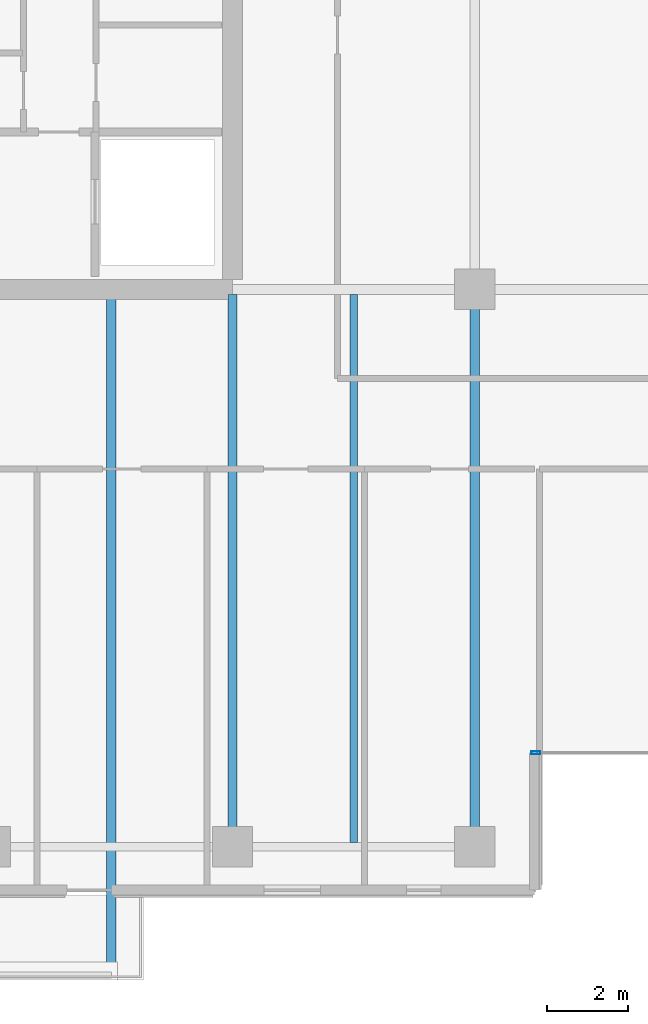
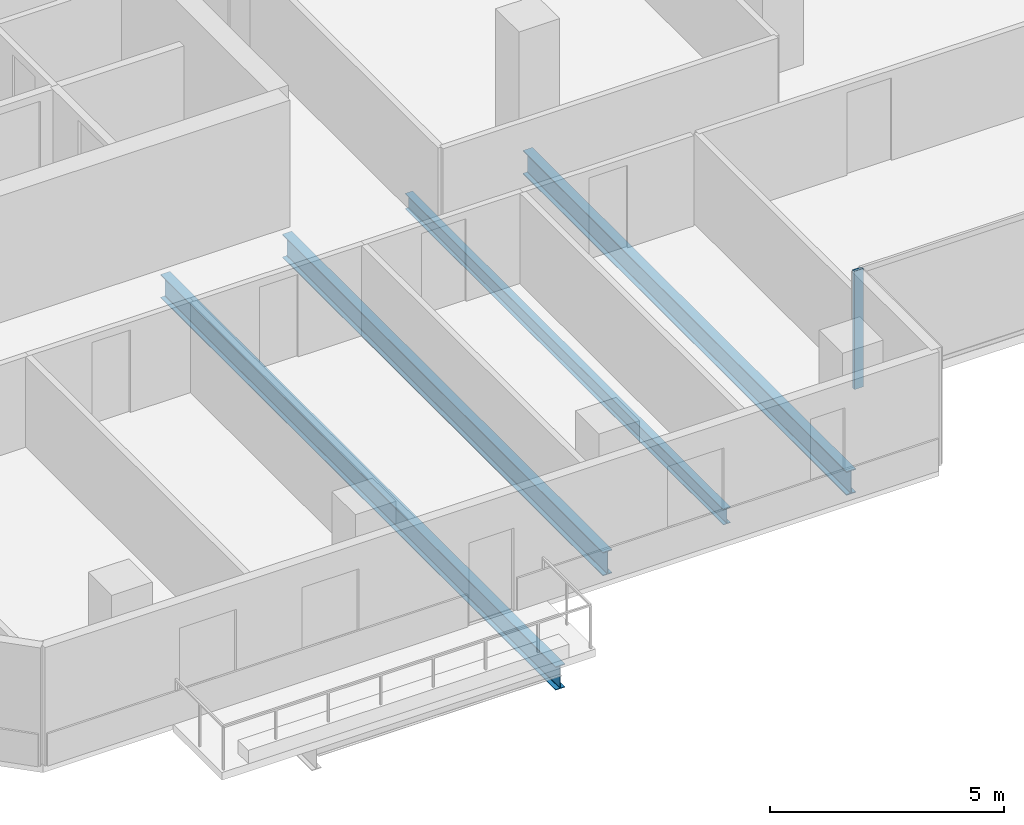
# One storey, part 2 of 23: 4 beams, 1 member, 1 element without a shape of its own.
"""IFC4 building model written with IfcOpenShell, lengths in metres."""

import ifcopenshell
import ifcopenshell.guid

model = None  # the IFC model being written
_history = None  # IfcOwnerHistory: only IFC2X3 demands one
_inside = {}  # id of a spatial element -> (the spatial element, [elements in it])
_under = {}  # id of a project, library or spatial element -> (it, [spatial elements below it])
_declared = {}  # id of a project -> (the project, [libraries it declares])
_typed = {}  # id of a type object -> (the type object, [elements of that type])
_made_of = {}  # id of a material, layer set ... -> (it, [elements and type objects made of it])


def new_model(schema):
    """Start an empty IFC model of exactly this schema.

    Asked for "IFC4X3", IfcOpenShell would pick the latest addendum, in which some entities
    have other attributes; the version numbers below select the first issue.
    IFC2X3 requires an IfcOwnerHistory on every rooted entity: one is made here for all.
    """
    global model, _history
    if schema == "IFC4X3":
        model = ifcopenshell.file(schema_version=(4, 3, 0, 0))
    else:
        model = ifcopenshell.file(schema=schema)
    _inside.clear()
    _under.clear()
    _declared.clear()
    _typed.clear()
    _made_of.clear()
    _history = None
    if model.schema == "IFC2X3":
        org = make("IfcOrganization", Name="unknown")
        user = make(
            "IfcPersonAndOrganization",
            ThePerson=make("IfcPerson", FamilyName="unknown"),
            TheOrganization=org,
        )
        app = make(
            "IfcApplication",
            ApplicationDeveloper=org,
            Version="unknown",
            ApplicationFullName="unknown",
            ApplicationIdentifier="unknown",
        )
        _history = make(
            "IfcOwnerHistory",
            OwningUser=user,
            OwningApplication=app,
            ChangeAction="ADDED",
            CreationDate=0,
        )
    return model


def make(cls, **values):
    """One entity of the class cls with the attributes given. An attribute that is None is left unset."""
    return model.create_entity(
        cls, **{name: value for name, value in values.items() if value is not None}
    )


def rooted(cls, **values):
    """An entity with a GlobalId (a new one), such as an element, a storey or a relation."""
    return make(cls, GlobalId=ifcopenshell.guid.new(), OwnerHistory=_history, **values)


def si_unit(unit_type, name, prefix=None):
    """IfcSIUnit, for example si_unit("LENGTHUNIT", "METRE", prefix="MILLI")."""
    return make("IfcSIUnit", UnitType=unit_type, Prefix=prefix, Name=name)


def assignment(units):
    """IfcUnitAssignment: the units of a project."""
    return None if units is None else make("IfcUnitAssignment", Units=units)


def point(xyz):
    """IfcCartesianPoint."""
    return None if xyz is None else make("IfcCartesianPoint", Coordinates=xyz)


def direction(xyz):
    """IfcDirection."""
    return None if xyz is None else make("IfcDirection", DirectionRatios=xyz)


def frame(location, z_axis=None, x_axis=None):
    """IfcAxis2Placement3D, a coordinate frame: its origin and axes. An axis left out is left unset."""
    return make(
        "IfcAxis2Placement3D",
        Location=point(location),
        Axis=direction(z_axis),
        RefDirection=direction(x_axis),
    )


def frame_2d(location, x_axis=None):
    """IfcAxis2Placement2D, a coordinate frame in the plane: its origin and x axis."""
    return make(
        "IfcAxis2Placement2D", Location=point(location), RefDirection=direction(x_axis)
    )


def origin():
    """The frame at (0, 0, 0) with its axes left unset."""
    return frame((0.0, 0.0, 0.0))


def origin_2d():
    """The frame at (0, 0) in the plane with its x axis left unset."""
    return frame_2d((0.0, 0.0))


def place(relative_to, where):
    """IfcLocalPlacement: puts the frame where relative to a parent placement (None: the world)."""
    return make(
        "IfcLocalPlacement", PlacementRelTo=relative_to, RelativePlacement=where
    )


def context(
    kind, dimensions, precision=None, world=None, true_north=None, identifier=None
):
    """IfcGeometricRepresentationContext, for example the 3D "Model" context."""
    return make(
        "IfcGeometricRepresentationContext",
        ContextIdentifier=identifier,
        ContextType=kind,
        CoordinateSpaceDimension=dimensions,
        Precision=precision,
        WorldCoordinateSystem=world,
        TrueNorth=true_north,
    )


def subcontext(parent, identifier, kind, view, scale=None):
    """IfcGeometricRepresentationSubContext, for example "Body" below "Model"."""
    return make(
        "IfcGeometricRepresentationSubContext",
        ContextIdentifier=identifier,
        ContextType=kind,
        ParentContext=parent,
        TargetScale=scale,
        TargetView=view,
    )


def project(units=None, contexts=None):
    """IfcProject with its units and contexts."""
    return rooted(
        "IfcProject",
        Name="project",
        RepresentationContexts=contexts,
        UnitsInContext=assignment(units),
    )


def spatial(cls, under=None, at=None, **own):
    """A site, building, storey or space (cls), placed at a placement, below another one or the project."""
    s = rooted(cls, ObjectPlacement=at, **own)
    if under is not None:
        _under.setdefault(under.id(), (under, []))[1].append(s)
    return s


def profile(cls, at=None, kind="AREA", **sizes):
    """A parametric profile (cls). Its sizes go by their IFC names, for example OverallWidth=200.0."""
    return make(cls, ProfileType=kind, Position=at, **sizes)


def hollow_rectangle(**sizes):
    """IfcRectangleHollowProfileDef."""
    return profile("IfcRectangleHollowProfileDef", **sizes)


def i_section(**sizes):
    """IfcIShapeProfileDef."""
    return profile("IfcIShapeProfileDef", **sizes)


def extrude(swept, where, along, depth):
    """IfcExtrudedAreaSolid: the profile swept, set in the frame where, extruded along a direction by depth."""
    return make(
        "IfcExtrudedAreaSolid",
        SweptArea=swept,
        Position=where,
        ExtrudedDirection=direction(along),
        Depth=depth,
    )


def shape(context_of_items, identifier, shape_type, items):
    """IfcShapeRepresentation: the items that make up one representation, for example the "Body"."""
    return make(
        "IfcShapeRepresentation",
        ContextOfItems=context_of_items,
        RepresentationIdentifier=identifier,
        RepresentationType=shape_type,
        Items=items,
    )


def material(Name=None, Category=None):
    """IfcMaterial."""
    return make("IfcMaterial", Name=Name, Category=Category)


def layer(
    of_material, thickness, ventilated=None, Name=None, Category=None, Priority=None
):
    """IfcMaterialLayer: one layer of a wall or slab, of a material (None: an air gap)."""
    return make(
        "IfcMaterialLayer",
        Material=of_material,
        LayerThickness=thickness,
        IsVentilated=ventilated,
        Name=Name,
        Category=Category,
        Priority=Priority,
    )


def layer_set(layers, Name=None):
    """IfcMaterialLayerSet."""
    return make("IfcMaterialLayerSet", MaterialLayers=layers, LayerSetName=Name)


def material_profile(
    of_material, cross_section, Name=None, Category=None, Priority=None
):
    """IfcMaterialProfile: a cross section and its material."""
    return make(
        "IfcMaterialProfile",
        Name=Name,
        Material=of_material,
        Profile=cross_section,
        Priority=Priority,
        Category=Category,
    )


def profile_set(profiles, Name=None, composite=None):
    """IfcMaterialProfileSet."""
    return make(
        "IfcMaterialProfileSet",
        Name=Name,
        MaterialProfiles=profiles,
        CompositeProfile=composite,
    )


def made_of(thing, what):
    """Note that an element or type object is made of a material, layer set ...; save() writes the relation."""
    if what is not None:
        _made_of.setdefault(what.id(), (what, []))[1].append(thing)
    return thing


def type_object(cls, material=None, **own):
    """A type object (cls), such as IfcWallType, which elements share."""
    return made_of(rooted(cls, **own), material)


def element(
    cls,
    number,
    at=None,
    inside=None,
    cuts=None,
    type_object=None,
    material=None,
    context=None,
    identifier="Body",
    shape_type=None,
    held_by="IfcProductDefinitionShape",
    body=None,
    shapes=None,
    **own,
):
    """One element of the class cls, such as IfcWall. Its Tag is "e" and its number.

    at: its placement. inside: the storey or other place that contains it. cuts: it is an
    opening in that element (IfcRelVoidsElement). A single representation is given by context,
    identifier, shape_type and body (its items); several are given by shapes. held_by: the class
    of the entity that holds the representations. save() writes the other relations.
    """
    e = rooted(cls, Tag="e%d" % number, ObjectPlacement=at, **own)
    if body is not None:
        shapes = [shape(context, identifier, shape_type, body)]
    if shapes is not None:
        e.Representation = make(held_by, Representations=shapes)
    if inside is not None:
        _inside.setdefault(inside.id(), (inside, []))[1].append(e)
    if cuts is not None:
        rooted(
            "IfcRelVoidsElement", RelatingBuildingElement=cuts, RelatedOpeningElement=e
        )
    if type_object is not None:
        _typed.setdefault(type_object.id(), (type_object, []))[1].append(e)
    return made_of(e, material)


def aggregate(whole, parts):
    """IfcRelAggregates: a whole, such as a stair, and the parts it consists of."""
    return rooted("IfcRelAggregates", RelatingObject=whole, RelatedObjects=parts)


def save(model, path):
    """Write the relations noted so far, then the file.

    IfcRelAggregates (storeys below a building ...), IfcRelContainedInSpatialStructure (elements
    in a storey), IfcRelDefinesByType, IfcRelAssociatesMaterial and IfcRelDeclares: one each for
    every whole, place, type object, material and project.
    """
    for whole, parts in _under.values():
        aggregate(whole, parts)
    for where, things in _inside.values():
        rooted(
            "IfcRelContainedInSpatialStructure",
            RelatedElements=things,
            RelatingStructure=where,
        )
    for kind, things in _typed.values():
        rooted("IfcRelDefinesByType", RelatedObjects=things, RelatingType=kind)
    for what, things in _made_of.values():
        rooted("IfcRelAssociatesMaterial", RelatedObjects=things, RelatingMaterial=what)
    for by, libraries in _declared.values():
        rooted("IfcRelDeclares", RelatingContext=by, RelatedDefinitions=libraries)
    model.write(path)


model = new_model("IFC4")

# Units and contexts
model_context = context("Model", 3, precision=1e-05, world=origin(), true_north=direction((0.0, 1.0)))
body_context = subcontext(model_context, "Body", "Model", "MODEL_VIEW")
ifc_project = project(units=[si_unit("LENGTHUNIT", "METRE"), si_unit("AREAUNIT", "SQUARE_METRE"), si_unit("VOLUMEUNIT", "CUBIC_METRE"), si_unit("PLANEANGLEUNIT", "RADIAN"), si_unit("MASSUNIT", "GRAM", prefix="KILO")], contexts=[model_context])

# Site, building, storey
site_placement = place(None, origin())
site = spatial("IfcSite", under=ifc_project, at=site_placement, CompositionType="ELEMENT")
building_placement = place(site_placement, origin())
building = spatial("IfcBuilding", under=site, at=building_placement, Name="Tanjung Sevakor Pilgrim Tower", CompositionType="ELEMENT")
storey_placement = place(building_placement, frame((0.0, 0.0, 101.969970703125)))
storey = spatial("IfcBuildingStorey", under=building, at=storey_placement, Name="L28", CompositionType="ELEMENT", Elevation=101.969970703125)

# Beams
ifc_material_1 = material(Name="Steel S355J2", Category="steel")
ifc_material_profile_1 = material_profile(ifc_material_1, i_section(OverallWidth=0.230224609375, OverallDepth=0.6171875, WebThickness=0.01318359375, FlangeThickness=0.022216796875, FilletRadius=0.0126953125, at=origin_2d()))
ifc_profile_set_1 = profile_set([ifc_material_profile_1], Name="Steel S355J2")
beam_type_1 = type_object("IfcBeamType", Name="BM-B-G3-UB_610x229x140", PredefinedType="BEAM", material=ifc_profile_set_1)
beam_1_placement = place(storey_placement, frame((36.0, 10.800048828125, -0.528564453125), z_axis=(0.0, 1.0, 0.0), x_axis=(-1.0, 0.0, 0.0)))
element("IfcBeam", 1, at=beam_1_placement, inside=storey, type_object=beam_type_1, Name="L28 MAIN Girder 005", PredefinedType="BEAM", context=body_context, shape_type="SweptSolid", body=[
    extrude(i_section(OverallWidth=0.230224609375, OverallDepth=0.6171875, WebThickness=0.01318359375, FlangeThickness=0.022216796875, FilletRadius=0.0126953125, at=origin_2d()), origin(), (0.0, 0.0, 1.0), 13.672607421875),
])
beam_2_placement = place(storey_placement, frame((42.0, 10.800048828125, -0.528564453125), z_axis=(0.0, 1.0, 0.0), x_axis=(-1.0, 0.0, 0.0)))
element("IfcBeam", 2, at=beam_2_placement, inside=storey, type_object=beam_type_1, Name="L28 MAIN Girder 009", PredefinedType="BEAM", context=body_context, shape_type="SweptSolid", body=[
    extrude(i_section(OverallWidth=0.230224609375, OverallDepth=0.6171875, WebThickness=0.01318359375, FlangeThickness=0.022216796875, FilletRadius=0.0126953125, at=origin_2d()), origin(), (0.0, 0.0, 1.0), 13.800048828125),
])
ifc_material_2 = material(Name="Steel S355J2", Category="steel")
ifc_material_profile_2 = material_profile(ifc_material_2, i_section(OverallWidth=0.22900390625, OverallDepth=0.6123046875, WebThickness=0.011962890625, FlangeThickness=0.01953125, FilletRadius=0.0126953125, at=origin_2d()))
ifc_profile_set_2 = profile_set([ifc_material_profile_2], Name="Steel S355J2")
beam_type_2 = type_object("IfcBeamType", Name="BM-B-G4-UB_610x229x125", PredefinedType="BEAM", material=ifc_profile_set_2)
beam_3_placement = place(storey_placement, frame((33.0, 24.47265625, -0.526123046875), z_axis=(0.0, -1.0, 0.0), x_axis=(1.0, 0.0, 0.0)))
element("IfcBeam", 3, at=beam_3_placement, inside=storey, type_object=beam_type_2, Name="L28 Balcony Cantilever Beam MAIN-S1-2", PredefinedType="BEAM", context=body_context, shape_type="SweptSolid", body=[
    extrude(i_section(OverallWidth=0.22900390625, OverallDepth=0.6123046875, WebThickness=0.011962890625, FlangeThickness=0.01953125, FilletRadius=0.0126953125, at=origin_2d()), origin(), (0.0, 0.0, 1.0), 16.8525390625),
])
ifc_material_3 = material(Name="Steel S355J2", Category="steel")
ifc_material_profile_3 = material_profile(ifc_material_3, i_section(OverallWidth=0.1787109375, OverallDepth=0.409423828125, WebThickness=0.0087890625, FlangeThickness=0.014404296875, FilletRadius=0.01025390625, at=origin_2d()))
ifc_profile_set_3 = profile_set([ifc_material_profile_3], Name="Steel S355J2")
beam_type_3 = type_object("IfcBeamType", Name="BM-B-J3-UB_406x178x67", PredefinedType="JOIST", material=ifc_profile_set_3)
beam_4_placement = place(storey_placement, frame((39.0, 10.89990234375, -0.424560546875), z_axis=(0.0, 1.0, 0.0), x_axis=(-1.0, 0.0, 0.0)))
element("IfcBeam", 4, at=beam_4_placement, inside=storey, type_object=beam_type_3, Name="L28 MAIN Joist 007", PredefinedType="JOIST", context=body_context, shape_type="SweptSolid", body=[
    extrude(i_section(OverallWidth=0.1787109375, OverallDepth=0.409423828125, WebThickness=0.0087890625, FlangeThickness=0.014404296875, FilletRadius=0.01025390625, at=origin_2d()), origin(), (0.0, 0.0, 1.0), 13.57275390625),
])

# Curtain wall, member
ifc_material_4 = material(Name="Aluminium 6063-T6 and Low-E Glass", Category="aluminium")
ifc_layer = layer(ifc_material_4, 0.179931640625)
ifc_layer_set = layer_set([ifc_layer], Name="CW-SYS-CLEFT")
curtain_wall_type = type_object("IfcCurtainWallType", Name="CW-SYS-CLEFT", PredefinedType="NOTDEFINED", material=ifc_layer_set)
curtain_wall_placement = place(storey_placement, origin())
curtain_wall = element("IfcCurtainWall", 5, at=curtain_wall_placement, inside=storey, type_object=curtain_wall_type, Name="L28 Curtain Wall CW-CLF-L28-2", PredefinedType="NOTDEFINED")
ifc_material_5 = material(Name="Aluminium 6063-T6", Category="aluminium")
ifc_material_profile_4 = material_profile(ifc_material_5, hollow_rectangle(XDim=0.074951171875, YDim=0.219970703125, WallThickness=0.0048828125, at=origin_2d()))
ifc_profile_set_4 = profile_set([ifc_material_profile_4], Name="Aluminium 6063-T6")
member_type = type_object("IfcMemberType", Name="TYPE-CWM-2", PredefinedType="MULLION", material=ifc_profile_set_4)
member_placement = place(storey_placement, frame((43.512451171875, 13.125, 0.0), z_axis=(0.0, 0.0, 1.0), x_axis=(0.0, 1.0, 0.0)))
member = element("IfcMember", 6, at=member_placement, type_object=member_type, Name="CW-CLF mullion 1", PredefinedType="MULLION", context=body_context, shape_type="SweptSolid", body=[
    extrude(hollow_rectangle(XDim=0.074951171875, YDim=0.219970703125, WallThickness=0.0048828125, at=origin_2d()), origin(), (0.0, 0.0, 1.0), 3.080078125),
])
aggregate(curtain_wall, [member])

save(model, "model.ifc")
